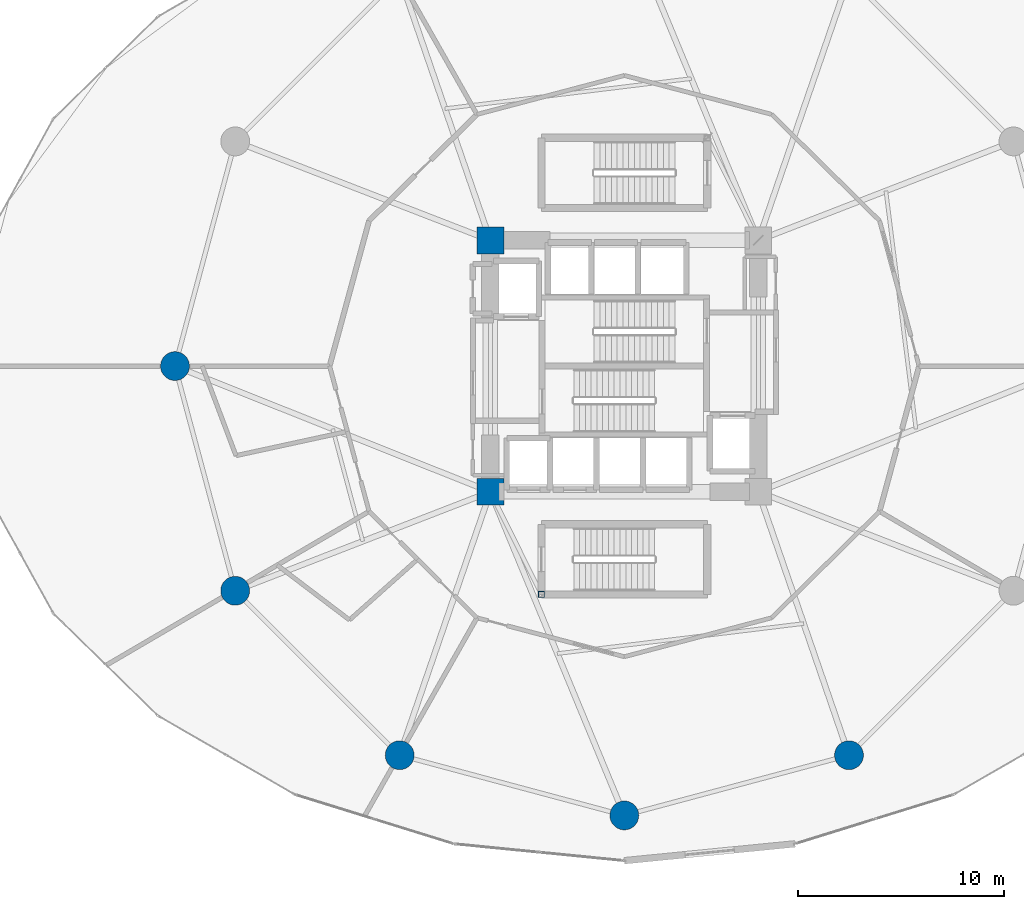
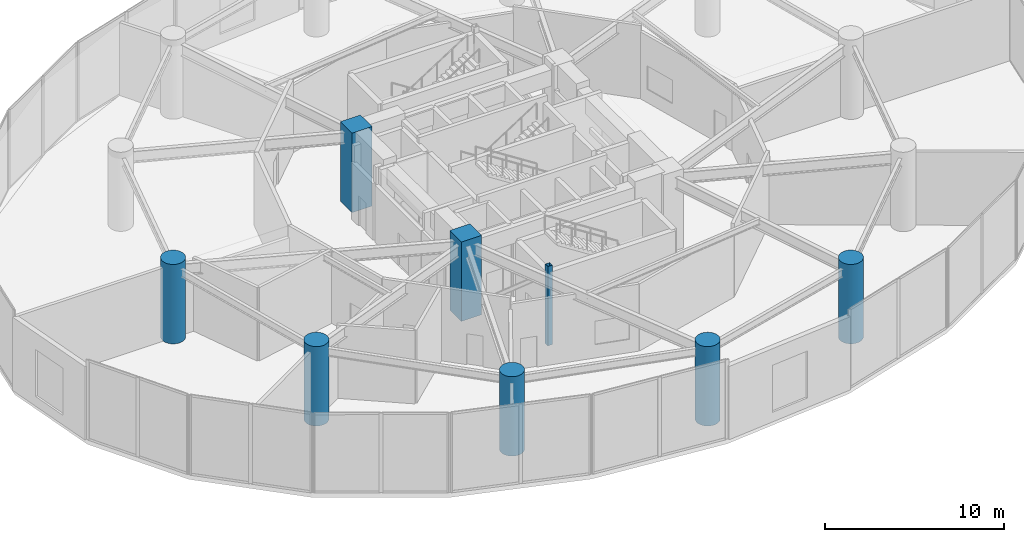
# One storey, part 1 of 29: 8 columns.
"""IFC4 building model written with IfcOpenShell, lengths in metres."""

from ifc_helpers import new_model, si_unit, direction, frame, origin, origin_2d, place, context, subcontext, project, spatial, rectangle, hollow_rectangle, circle, extrude, material, material_profile, profile_set, type_object, element, save


model = new_model("IFC4")

# Units and contexts
model_context = context("Model", 3, precision=1e-05, world=origin(), true_north=direction((0.0, 1.0)))
body_context = subcontext(model_context, "Body", "Model", "MODEL_VIEW")
ifc_project = project(units=[si_unit("LENGTHUNIT", "METRE"), si_unit("AREAUNIT", "SQUARE_METRE"), si_unit("VOLUMEUNIT", "CUBIC_METRE"), si_unit("PLANEANGLEUNIT", "RADIAN"), si_unit("MASSUNIT", "GRAM", prefix="KILO")], contexts=[model_context])

# Site, building, storey
site_placement = place(None, origin())
site = spatial("IfcSite", under=ifc_project, at=site_placement, CompositionType="ELEMENT")
building_placement = place(site_placement, origin())
building = spatial("IfcBuilding", under=site, at=building_placement, Name="Solvirekh Grand Hotel", CompositionType="ELEMENT")
storey_placement = place(building_placement, frame((0.0, 0.0, 7.199951171875)))
storey = spatial("IfcBuildingStorey", under=building, at=storey_placement, Name="L01", CompositionType="ELEMENT", Elevation=7.199951171875)

# Columns
ifc_material_1 = material(Name="Concrete C60/75", Category="concrete")
ifc_material_profile_1 = material_profile(ifc_material_1, circle(Radius=0.699951171875, at=origin_2d()), Name="RC CIRC D1400")
ifc_profile_set_1 = profile_set([ifc_material_profile_1], Name="Concrete C60/75")
column_type_1 = type_object("IfcColumnType", Name="Col_Base_D1400", PredefinedType="COLUMN", material=ifc_profile_set_1)
for number, where, z_axis, x_axis, name in (
    (1, (-21.800048828125, 0.0, 0.0), (0.0, 0.0, 1.0), (1.0, 0.0, 0.0), "L01 perimeter column P07"),
    (2, (-18.87890625, -10.89990234375, 0.0), (0.0, 0.0, 1.0), (1.0, 0.0, 0.0), "L01 perimeter column P08"),
    (3, (-10.89990234375, -18.87890625, 0.0), (0.0, 0.0, 1.0), (1.0, 0.0, 0.0), "L01 perimeter column P09"),
    (4, (0.0, -21.800048828125, 0.0), (0.0, 0.0, 1.0), (1.0, 0.0, 0.0), "L01 perimeter column P10"),
    (5, (10.89990234375, -18.87890625, 0.0), (0.0, 0.0, 1.0), (1.0, 0.0, 0.0), "L01 perimeter column P11"),
):
    element("IfcColumn", number, at=place(storey_placement, frame(where, z_axis=z_axis, x_axis=x_axis)), inside=storey, type_object=column_type_1, Name=name, PredefinedType="COLUMN", context=body_context, shape_type="SweptSolid", body=[
        extrude(circle(Radius=0.699951171875, at=origin_2d()), origin(), (0.0, 0.0, 1.0), 5.400146484375),
    ])
ifc_material_profile_2 = material_profile(ifc_material_1, rectangle(XDim=1.300048828125, YDim=1.300048828125, at=origin_2d()), Name="RC 1300X1300")
ifc_profile_set_2 = profile_set([ifc_material_profile_2], Name="Concrete C60/75")
column_type_2 = type_object("IfcColumnType", Name="Col_Core_1300", PredefinedType="COLUMN", material=ifc_profile_set_2)
for number, where, z_axis, x_axis, name in (
    (6, (-6.5, -6.10009765625, 0.0), (0.0, 0.0, 1.0), (1.0, 0.0, 0.0), "L01 core corner column CC1"),
    (7, (-6.5, 6.10009765625, 0.0), (0.0, 0.0, 1.0), (1.0, 0.0, 0.0), "L01 core corner column CC4"),
):
    element("IfcColumn", number, at=place(storey_placement, frame(where, z_axis=z_axis, x_axis=x_axis)), inside=storey, type_object=column_type_2, Name=name, PredefinedType="COLUMN", context=body_context, shape_type="SweptSolid", body=[
        extrude(rectangle(XDim=1.300048828125, YDim=1.300048828125, at=origin_2d()), origin(), (0.0, 0.0, 1.0), 5.400146484375),
    ])
ifc_material_2 = material(Name="Steel S355", Category="steel")
ifc_material_profile_3 = material_profile(ifc_material_2, hollow_rectangle(XDim=0.300048828125, YDim=0.300048828125, WallThickness=0.01611328125, at=origin_2d()), Name="SHS 300X300X16")
ifc_profile_set_3 = profile_set([ifc_material_profile_3], Name="Steel S355")
column_type_3 = type_object("IfcColumnType", Name="Col_Pod_SHS300", PredefinedType="COLUMN", material=ifc_profile_set_3)
column_placement = place(storey_placement, frame((-4.02490234375, -11.074951171875, 0.0), z_axis=(0.0, 0.0, 1.0), x_axis=(1.0, 0.0, 0.0)))
element("IfcColumn", 8, at=column_placement, inside=storey, type_object=column_type_3, Name="L01 podium stair enclosure post 1", PredefinedType="COLUMN", context=body_context, shape_type="SweptSolid", body=[
    extrude(hollow_rectangle(XDim=0.300048828125, YDim=0.300048828125, WallThickness=0.01611328125, at=origin_2d()), origin(), (0.0, 0.0, 1.0), 5.400146484375),
])

save(model, "model.ifc")
